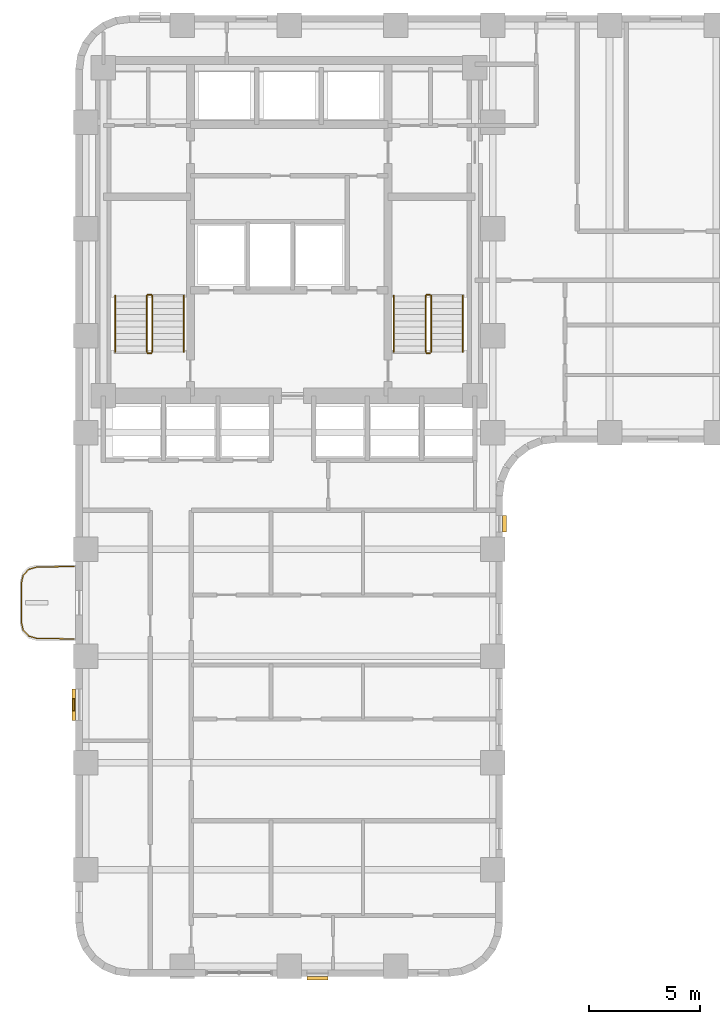
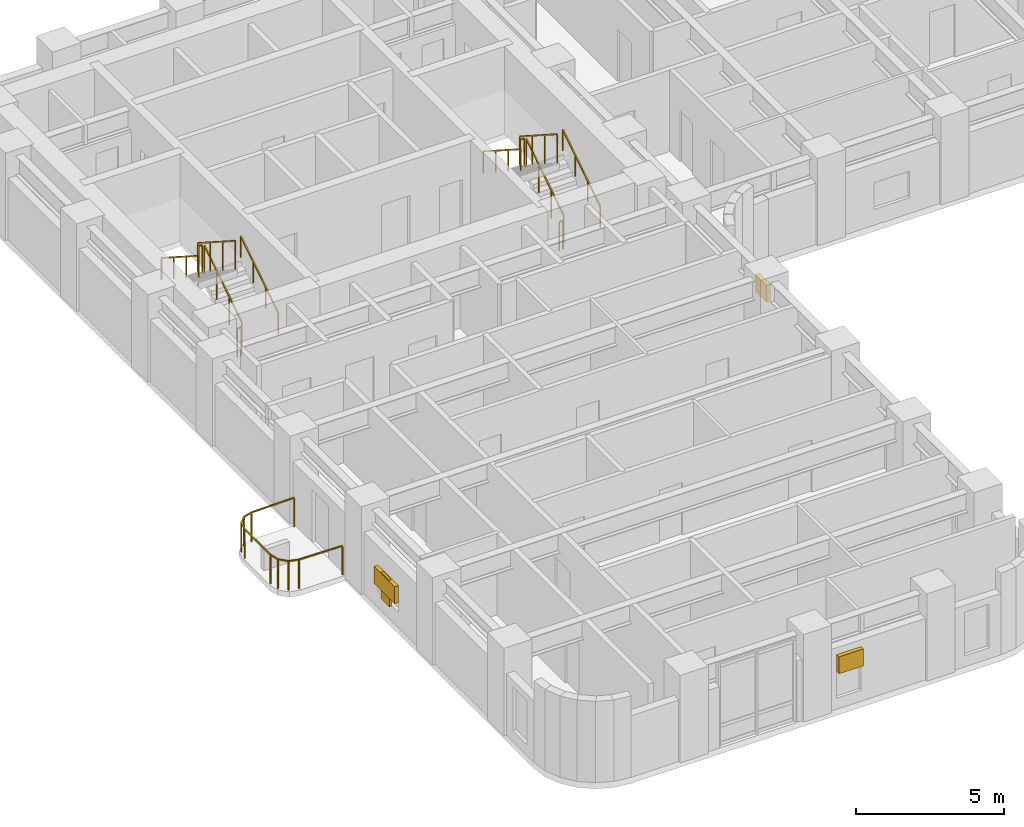
# One storey, part 10 of 12: 13 railings, 4 shading devices.
"""IFC4 building model written with IfcOpenShell, lengths in metres."""

from ifc_helpers import new_model, si_unit, direction, frame, origin, origin_2d, place, context, subcontext, project, spatial, rectangle, extrude, material, type_object, element, save


model = new_model("IFC4")

# Units and contexts
model_context = context("Model", 3, precision=1e-05, world=origin(), true_north=direction((0.0, 1.0)))
body_context = subcontext(model_context, "Body", "Model", "MODEL_VIEW")
ifc_project = project(units=[si_unit("LENGTHUNIT", "METRE"), si_unit("AREAUNIT", "SQUARE_METRE"), si_unit("VOLUMEUNIT", "CUBIC_METRE"), si_unit("PLANEANGLEUNIT", "RADIAN"), si_unit("MASSUNIT", "GRAM", prefix="KILO")], contexts=[model_context])

# Site, building, storey
site_placement = place(None, origin())
site = spatial("IfcSite", under=ifc_project, at=site_placement, CompositionType="ELEMENT")
building_placement = place(site_placement, origin())
building = spatial("IfcBuilding", under=site, at=building_placement, Name="Orvandelia Arch Residences", CompositionType="ELEMENT")
storey_placement = place(building_placement, frame((0.0, 0.0, 71.800048828125)))
storey = spatial("IfcBuildingStorey", under=building, at=storey_placement, Name="L18", CompositionType="ELEMENT", Elevation=71.800048828125)

# Railings
ifc_material_1 = material(Name="Marine-Grade Stainless Steel 316", Category="steel")
railing_type_1 = type_object("IfcRailingType", Name="GRD-BAL-1200", PredefinedType="BALUSTRADE", material=ifc_material_1)
railing_1_placement = place(storey_placement, frame((4.728271484375, 23.23046875, 0.0)))
element("IfcRailing", 1, at=railing_1_placement, inside=storey, type_object=railing_type_1, Name="Safety Balustrade Guard GRD-L18-BAL-L18-W1-1", PredefinedType="BALUSTRADE", context=body_context, shape_type="SweptSolid", body=[
    extrude(rectangle(XDim=0.048095703125, YDim=0.048095703125, at=origin_2d()), frame((0.0, 0.0, 1.19580078125), z_axis=(-0.999834751713, -0.018178813668, 0.0), x_axis=(0.018178813668, -0.999834751713, 0.0)), (0.0, 0.0, 1.0), 1.6787109375),
    extrude(rectangle(XDim=0.048095703125, YDim=0.048095703125, at=origin_2d()), frame((-1.678466796875, -0.030517578125, 1.19580078125), z_axis=(-0.96348920644, -0.267747173792, 0.0), x_axis=(0.267747173792, -0.96348920644, 0.0)), (0.0, 0.0, 1.0), 0.36572265625),
    extrude(rectangle(XDim=0.048095703125, YDim=0.048095703125, at=origin_2d()), frame((-2.03076171875, -0.12841796875, 1.19580078125), z_axis=(-0.688627404251, -0.725115368831, 0.0), x_axis=(0.725115368831, -0.688627404251, 0.0)), (0.0, 0.0, 1.0), 0.367919921875),
    extrude(rectangle(XDim=0.048095703125, YDim=0.048095703125, at=origin_2d()), frame((-2.2841796875, -0.395263671875, 1.19580078125), z_axis=(-0.220461657419, -0.975395641577, 0.0), x_axis=(0.975395641577, -0.220461657419, 0.0)), (0.0, 0.0, 1.0), 0.373291015625),
    extrude(rectangle(XDim=0.048095703125, YDim=0.048095703125, at=origin_2d()), frame((-2.366455078125, -0.75927734375, 1.19580078125), z_axis=(0.0, -1.0, 0.0), x_axis=(1.0, 0.0, 0.0)), (0.0, 0.0, 1.0), 1.742431640625),
    extrude(rectangle(XDim=0.048095703125, YDim=0.048095703125, at=origin_2d()), frame((-2.366455078125, -2.501708984375, 1.19580078125), z_axis=(0.220602419982, -0.975363815352, 0.0), x_axis=(0.975363815352, 0.220602419982, 0.0)), (0.0, 0.0, 1.0), 0.373046875),
    extrude(rectangle(XDim=0.048095703125, YDim=0.048095703125, at=origin_2d()), frame((-2.2841796875, -2.865478515625, 1.19580078125), z_axis=(0.688296224633, -0.725429739642, 0.0), x_axis=(0.725429739642, 0.688296224633, 0.0)), (0.0, 0.0, 1.0), 0.3681640625),
    extrude(rectangle(XDim=0.048095703125, YDim=0.048095703125, at=origin_2d()), frame((-2.03076171875, -3.132568359375, 1.19580078125), z_axis=(0.96348920644, -0.267747173792, 0.0), x_axis=(0.267747173792, 0.96348920644, 0.0)), (0.0, 0.0, 1.0), 0.36572265625),
    extrude(rectangle(XDim=0.048095703125, YDim=0.048095703125, at=origin_2d()), frame((-1.678466796875, -3.23046875, 1.19580078125), z_axis=(0.999834751713, -0.018178813668, 0.0), x_axis=(0.018178813668, 0.999834751713, 0.0)), (0.0, 0.0, 1.0), 1.6787109375),
    extrude(rectangle(XDim=0.0419921875, YDim=0.0419921875, at=origin_2d()), origin(), (0.0, 0.0, 1.0), 1.171875),
    extrude(rectangle(XDim=0.0419921875, YDim=0.0419921875, at=origin_2d()), frame((-1.678466796875, -0.030517578125, 0.0)), (0.0, 0.0, 1.0), 1.171875),
    extrude(rectangle(XDim=0.0419921875, YDim=0.0419921875, at=origin_2d()), frame((-2.03076171875, -0.12841796875, 0.0)), (0.0, 0.0, 1.0), 1.171875),
    extrude(rectangle(XDim=0.0419921875, YDim=0.0419921875, at=origin_2d()), frame((-2.2841796875, -0.395263671875, 0.0)), (0.0, 0.0, 1.0), 1.171875),
    extrude(rectangle(XDim=0.0419921875, YDim=0.0419921875, at=origin_2d()), frame((-2.366455078125, -0.75927734375, 0.0)), (0.0, 0.0, 1.0), 1.171875),
    extrude(rectangle(XDim=0.0419921875, YDim=0.0419921875, at=origin_2d()), frame((-2.366455078125, -2.501708984375, 0.0)), (0.0, 0.0, 1.0), 1.171875),
    extrude(rectangle(XDim=0.0419921875, YDim=0.0419921875, at=origin_2d()), frame((-2.2841796875, -2.865478515625, 0.0)), (0.0, 0.0, 1.0), 1.171875),
    extrude(rectangle(XDim=0.0419921875, YDim=0.0419921875, at=origin_2d()), frame((-2.03076171875, -3.132568359375, 0.0)), (0.0, 0.0, 1.0), 1.171875),
    extrude(rectangle(XDim=0.0419921875, YDim=0.0419921875, at=origin_2d()), frame((-1.678466796875, -3.23046875, 0.0)), (0.0, 0.0, 1.0), 1.171875),
    extrude(rectangle(XDim=0.0419921875, YDim=0.0419921875, at=origin_2d()), frame((0.0, -3.260986328125, 0.0)), (0.0, 0.0, 1.0), 1.171875),
])
ifc_material_2 = material(Name="Brushed Stainless Steel 304", Category="steel")
railing_type_2 = type_object("IfcRailingType", Name="RL-STAIR-GD1120", PredefinedType="GUARDRAIL", material=ifc_material_2)
railing_2_placement = place(storey_placement, frame((8.25, 32.8701171875, 0.179931640625)))
element("IfcRailing", 2, at=railing_2_placement, inside=storey, type_object=railing_type_2, Name="L18 ST-1 stair guard 1", PredefinedType="GUARDRAIL", context=body_context, shape_type="SweptSolid", body=[
    extrude(rectangle(XDim=0.048095703125, YDim=0.048095703125, at=origin_2d()), frame((0.0, 0.0, 1.17578125), z_axis=(0.0, 0.841138753965, 0.540819375188), x_axis=(-1.0, 0.0, 0.0)), (0.0, 0.0, 1.0), 2.99560546875),
    extrude(rectangle(XDim=0.0419921875, YDim=0.0419921875, at=origin_2d()), origin(), (0.0, 0.0, 1.0), 1.15185546875),
    extrude(rectangle(XDim=0.0419921875, YDim=0.0419921875, at=origin_2d()), frame((0.0, 0.83984375, 0.5400390625)), (0.0, 0.0, 1.0), 1.15185546875),
    extrude(rectangle(XDim=0.0419921875, YDim=0.0419921875, at=origin_2d()), frame((0.0, 1.679931640625, 1.080078125)), (0.0, 0.0, 1.0), 1.15185546875),
    extrude(rectangle(XDim=0.0419921875, YDim=0.0419921875, at=origin_2d()), frame((0.0, 2.519775390625, 1.6201171875)), (0.0, 0.0, 1.0), 1.15185546875),
])
railing_3_placement = place(storey_placement, frame((8.199951171875, 35.43994140625, 1.800048828125)))
element("IfcRailing", 3, at=railing_3_placement, inside=storey, type_object=railing_type_2, Name="L18 ST-1 stair guard 2", PredefinedType="GUARDRAIL", context=body_context, shape_type="SweptSolid", body=[
    extrude(rectangle(XDim=0.048095703125, YDim=0.048095703125, at=origin_2d()), frame((0.0, 0.0, 1.17578125), z_axis=(-1.0, 0.0, 0.0), x_axis=(0.0, -1.0, 0.0)), (0.0, 0.0, 1.0), 0.14990234375),
    extrude(rectangle(XDim=0.0419921875, YDim=0.0419921875, at=origin_2d()), origin(), (0.0, 0.0, 1.0), 1.15185546875),
    extrude(rectangle(XDim=0.0419921875, YDim=0.0419921875, at=origin_2d()), frame((-0.14990234375, 0.0, 0.0)), (0.0, 0.0, 1.0), 1.15185546875),
])
railing_4_placement = place(storey_placement, frame((8.0, 35.389892578125, 1.97998046875)))
element("IfcRailing", 4, at=railing_4_placement, inside=storey, type_object=railing_type_2, Name="L18 ST-1 stair guard 3", PredefinedType="GUARDRAIL", context=body_context, shape_type="SweptSolid", body=[
    extrude(rectangle(XDim=0.048095703125, YDim=0.048095703125, at=origin_2d()), frame((0.0, 0.0, 1.17578125), z_axis=(0.0, -0.841175827307, 0.540761710511), x_axis=(1.0, 0.0, 0.0)), (0.0, 0.0, 1.0), 2.99560546875),
    extrude(rectangle(XDim=0.0419921875, YDim=0.0419921875, at=origin_2d()), origin(), (0.0, 0.0, 1.0), 1.15185546875),
    extrude(rectangle(XDim=0.0419921875, YDim=0.0419921875, at=origin_2d()), frame((0.0, -0.83984375, 0.5400390625)), (0.0, 0.0, 1.0), 1.15185546875),
    extrude(rectangle(XDim=0.0419921875, YDim=0.0419921875, at=origin_2d()), frame((0.0, -1.679931640625, 1.079833984375)), (0.0, 0.0, 1.0), 1.15185546875),
    extrude(rectangle(XDim=0.0419921875, YDim=0.0419921875, at=origin_2d()), frame((0.0, -2.519775390625, 1.619873046875)), (0.0, 0.0, 1.0), 1.15185546875),
])
railing_5_placement = place(storey_placement, frame((8.199951171875, 32.820068359375, 0.0)))
element("IfcRailing", 5, at=railing_5_placement, inside=storey, type_object=railing_type_2, Name="L18 ST-1 stair guard 4", PredefinedType="GUARDRAIL", context=body_context, shape_type="SweptSolid", body=[
    extrude(rectangle(XDim=0.048095703125, YDim=0.048095703125, at=origin_2d()), frame((0.0, 0.0, 1.17578125), z_axis=(-1.0, 0.0, 0.0), x_axis=(0.0, -1.0, 0.0)), (0.0, 0.0, 1.0), 0.14990234375),
    extrude(rectangle(XDim=0.0419921875, YDim=0.0419921875, at=origin_2d()), origin(), (0.0, 0.0, 1.0), 1.15185546875),
    extrude(rectangle(XDim=0.0419921875, YDim=0.0419921875, at=origin_2d()), frame((-0.14990234375, 0.0, 0.0)), (0.0, 0.0, 1.0), 1.15185546875),
])
railing_6_placement = place(storey_placement, frame((20.780029296875, 32.8701171875, 0.179931640625)))
element("IfcRailing", 6, at=railing_6_placement, inside=storey, type_object=railing_type_2, Name="L18 ST-2 stair guard 1", PredefinedType="GUARDRAIL", context=body_context, shape_type="SweptSolid", body=[
    extrude(rectangle(XDim=0.048095703125, YDim=0.048095703125, at=origin_2d()), frame((0.0, 0.0, 1.17578125), z_axis=(0.0, 0.841138753965, 0.540819375188), x_axis=(-1.0, 0.0, 0.0)), (0.0, 0.0, 1.0), 2.99560546875),
    extrude(rectangle(XDim=0.0419921875, YDim=0.0419921875, at=origin_2d()), origin(), (0.0, 0.0, 1.0), 1.15185546875),
    extrude(rectangle(XDim=0.0419921875, YDim=0.0419921875, at=origin_2d()), frame((0.0, 0.83984375, 0.5400390625)), (0.0, 0.0, 1.0), 1.15185546875),
    extrude(rectangle(XDim=0.0419921875, YDim=0.0419921875, at=origin_2d()), frame((0.0, 1.679931640625, 1.080078125)), (0.0, 0.0, 1.0), 1.15185546875),
    extrude(rectangle(XDim=0.0419921875, YDim=0.0419921875, at=origin_2d()), frame((0.0, 2.519775390625, 1.6201171875)), (0.0, 0.0, 1.0), 1.15185546875),
])
railing_7_placement = place(storey_placement, frame((20.72998046875, 35.43994140625, 1.800048828125)))
element("IfcRailing", 7, at=railing_7_placement, inside=storey, type_object=railing_type_2, Name="L18 ST-2 stair guard 2", PredefinedType="GUARDRAIL", context=body_context, shape_type="SweptSolid", body=[
    extrude(rectangle(XDim=0.048095703125, YDim=0.048095703125, at=origin_2d()), frame((0.0, 0.0, 1.17578125), z_axis=(-1.0, 0.0, 0.0), x_axis=(0.0, -1.0, 0.0)), (0.0, 0.0, 1.0), 0.14990234375),
    extrude(rectangle(XDim=0.0419921875, YDim=0.0419921875, at=origin_2d()), origin(), (0.0, 0.0, 1.0), 1.15185546875),
    extrude(rectangle(XDim=0.0419921875, YDim=0.0419921875, at=origin_2d()), frame((-0.14990234375, 0.0, 0.0)), (0.0, 0.0, 1.0), 1.15185546875),
])
railing_8_placement = place(storey_placement, frame((20.530029296875, 35.389892578125, 1.97998046875)))
element("IfcRailing", 8, at=railing_8_placement, inside=storey, type_object=railing_type_2, Name="L18 ST-2 stair guard 3", PredefinedType="GUARDRAIL", context=body_context, shape_type="SweptSolid", body=[
    extrude(rectangle(XDim=0.048095703125, YDim=0.048095703125, at=origin_2d()), frame((0.0, 0.0, 1.17578125), z_axis=(0.0, -0.841175827307, 0.540761710511), x_axis=(1.0, 0.0, 0.0)), (0.0, 0.0, 1.0), 2.99560546875),
    extrude(rectangle(XDim=0.0419921875, YDim=0.0419921875, at=origin_2d()), origin(), (0.0, 0.0, 1.0), 1.15185546875),
    extrude(rectangle(XDim=0.0419921875, YDim=0.0419921875, at=origin_2d()), frame((0.0, -0.83984375, 0.5400390625)), (0.0, 0.0, 1.0), 1.15185546875),
    extrude(rectangle(XDim=0.0419921875, YDim=0.0419921875, at=origin_2d()), frame((0.0, -1.679931640625, 1.079833984375)), (0.0, 0.0, 1.0), 1.15185546875),
    extrude(rectangle(XDim=0.0419921875, YDim=0.0419921875, at=origin_2d()), frame((0.0, -2.519775390625, 1.619873046875)), (0.0, 0.0, 1.0), 1.15185546875),
])
railing_9_placement = place(storey_placement, frame((20.72998046875, 32.820068359375, 0.0)))
element("IfcRailing", 9, at=railing_9_placement, inside=storey, type_object=railing_type_2, Name="L18 ST-2 stair guard 4", PredefinedType="GUARDRAIL", context=body_context, shape_type="SweptSolid", body=[
    extrude(rectangle(XDim=0.048095703125, YDim=0.048095703125, at=origin_2d()), frame((0.0, 0.0, 1.17578125), z_axis=(-1.0, 0.0, 0.0), x_axis=(0.0, -1.0, 0.0)), (0.0, 0.0, 1.0), 0.14990234375),
    extrude(rectangle(XDim=0.0419921875, YDim=0.0419921875, at=origin_2d()), origin(), (0.0, 0.0, 1.0), 1.15185546875),
    extrude(rectangle(XDim=0.0419921875, YDim=0.0419921875, at=origin_2d()), frame((-0.14990234375, 0.0, 0.0)), (0.0, 0.0, 1.0), 1.15185546875),
])
railing_type_3 = type_object("IfcRailingType", Name="RL-STAIR-HR920", PredefinedType="HANDRAIL", material=ifc_material_2)
railing_10_placement = place(storey_placement, frame((9.669921875, 32.8701171875, 0.35986328125)))
element("IfcRailing", 10, at=railing_10_placement, inside=storey, type_object=railing_type_3, Name="L18 ST-1 stair handrail 1", PredefinedType="HANDRAIL", context=body_context, shape_type="SweptSolid", body=[
    extrude(rectangle(XDim=0.048095703125, YDim=0.048095703125, at=origin_2d()), frame((0.0, 0.0, 0.8759765625), z_axis=(0.0, 0.841138753965, 0.540819375188), x_axis=(-1.0, 0.0, 0.0)), (0.0, 0.0, 1.0), 2.99560546875),
    extrude(rectangle(XDim=0.0419921875, YDim=0.0419921875, at=origin_2d()), origin(), (0.0, 0.0, 1.0), 0.851806640625),
    extrude(rectangle(XDim=0.0419921875, YDim=0.0419921875, at=origin_2d()), frame((0.0, 0.83984375, 0.5400390625)), (0.0, 0.0, 1.0), 0.851806640625),
    extrude(rectangle(XDim=0.0419921875, YDim=0.0419921875, at=origin_2d()), frame((0.0, 1.679931640625, 1.080078125)), (0.0, 0.0, 1.0), 0.851806640625),
    extrude(rectangle(XDim=0.0419921875, YDim=0.0419921875, at=origin_2d()), frame((0.0, 2.519775390625, 1.6201171875)), (0.0, 0.0, 1.0), 0.851806640625),
])
railing_11_placement = place(storey_placement, frame((6.580078125, 35.389892578125, 2.159912109375)))
element("IfcRailing", 11, at=railing_11_placement, inside=storey, type_object=railing_type_3, Name="L18 ST-1 stair handrail 2", PredefinedType="HANDRAIL", context=body_context, shape_type="SweptSolid", body=[
    extrude(rectangle(XDim=0.048095703125, YDim=0.048095703125, at=origin_2d()), frame((0.0, 0.0, 0.8759765625), z_axis=(0.0, -0.841138753965, 0.540819375188), x_axis=(1.0, 0.0, 0.0)), (0.0, 0.0, 1.0), 2.99560546875),
    extrude(rectangle(XDim=0.0419921875, YDim=0.0419921875, at=origin_2d()), origin(), (0.0, 0.0, 1.0), 0.851806640625),
    extrude(rectangle(XDim=0.0419921875, YDim=0.0419921875, at=origin_2d()), frame((0.0, -0.83984375, 0.5400390625)), (0.0, 0.0, 1.0), 0.851806640625),
    extrude(rectangle(XDim=0.0419921875, YDim=0.0419921875, at=origin_2d()), frame((0.0, -1.679931640625, 1.080078125)), (0.0, 0.0, 1.0), 0.851806640625),
    extrude(rectangle(XDim=0.0419921875, YDim=0.0419921875, at=origin_2d()), frame((0.0, -2.519775390625, 1.6201171875)), (0.0, 0.0, 1.0), 0.851806640625),
])
railing_12_placement = place(storey_placement, frame((22.199951171875, 32.8701171875, 0.35986328125)))
element("IfcRailing", 12, at=railing_12_placement, inside=storey, type_object=railing_type_3, Name="L18 ST-2 stair handrail 1", PredefinedType="HANDRAIL", context=body_context, shape_type="SweptSolid", body=[
    extrude(rectangle(XDim=0.048095703125, YDim=0.048095703125, at=origin_2d()), frame((0.0, 0.0, 0.8759765625), z_axis=(0.0, 0.841138753965, 0.540819375188), x_axis=(-1.0, 0.0, 0.0)), (0.0, 0.0, 1.0), 2.99560546875),
    extrude(rectangle(XDim=0.0419921875, YDim=0.0419921875, at=origin_2d()), origin(), (0.0, 0.0, 1.0), 0.851806640625),
    extrude(rectangle(XDim=0.0419921875, YDim=0.0419921875, at=origin_2d()), frame((0.0, 0.83984375, 0.5400390625)), (0.0, 0.0, 1.0), 0.851806640625),
    extrude(rectangle(XDim=0.0419921875, YDim=0.0419921875, at=origin_2d()), frame((0.0, 1.679931640625, 1.080078125)), (0.0, 0.0, 1.0), 0.851806640625),
    extrude(rectangle(XDim=0.0419921875, YDim=0.0419921875, at=origin_2d()), frame((0.0, 2.519775390625, 1.6201171875)), (0.0, 0.0, 1.0), 0.851806640625),
])
railing_13_placement = place(storey_placement, frame((19.110107421875, 35.389892578125, 2.159912109375)))
element("IfcRailing", 13, at=railing_13_placement, inside=storey, type_object=railing_type_3, Name="L18 ST-2 stair handrail 2", PredefinedType="HANDRAIL", context=body_context, shape_type="SweptSolid", body=[
    extrude(rectangle(XDim=0.048095703125, YDim=0.048095703125, at=origin_2d()), frame((0.0, 0.0, 0.8759765625), z_axis=(0.0, -0.841138753965, 0.540819375188), x_axis=(1.0, 0.0, 0.0)), (0.0, 0.0, 1.0), 2.99560546875),
    extrude(rectangle(XDim=0.0419921875, YDim=0.0419921875, at=origin_2d()), origin(), (0.0, 0.0, 1.0), 0.851806640625),
    extrude(rectangle(XDim=0.0419921875, YDim=0.0419921875, at=origin_2d()), frame((0.0, -0.83984375, 0.5400390625)), (0.0, 0.0, 1.0), 0.851806640625),
    extrude(rectangle(XDim=0.0419921875, YDim=0.0419921875, at=origin_2d()), frame((0.0, -1.679931640625, 1.080078125)), (0.0, 0.0, 1.0), 0.851806640625),
    extrude(rectangle(XDim=0.0419921875, YDim=0.0419921875, at=origin_2d()), frame((0.0, -2.519775390625, 1.6201171875)), (0.0, 0.0, 1.0), 0.851806640625),
])

# Shading devices
ifc_material_3 = material(Name="Anodised Champagne-Bronze Extruded Aluminium", Category="aluminium")
shading_device_type_1 = type_object("IfcShadingDeviceType", Name="SHD-JALOUSIE-SCREEN", PredefinedType="JALOUSIE", material=ifc_material_3)
shading_device_1_placement = place(storey_placement, frame((24.080078125, 25.14501953125, 1.5498046875), z_axis=(0.0, 0.0, 1.0), x_axis=(0.0, -1.0, 0.0)))
element("IfcShadingDevice", 14, at=shading_device_1_placement, inside=storey, type_object=shading_device_type_1, Name="Bronze Jalousie Sun-Shade L18-007", PredefinedType="JALOUSIE", context=body_context, shape_type="SweptSolid", body=[
    extrude(rectangle(XDim=0.75, YDim=0.159912109375, at=origin_2d()), origin(), (0.0, 0.0, 1.0), 0.699951171875),
])
shading_device_2_placement = place(storey_placement, frame((15.674560546875, 4.719970703125, 1.5498046875), z_axis=(0.0, 0.0, 1.0), x_axis=(-1.0, 0.0, 0.0)))
element("IfcShadingDevice", 15, at=shading_device_2_placement, inside=storey, type_object=shading_device_type_1, Name="Bronze Jalousie Sun-Shade L18-008", PredefinedType="JALOUSIE", context=body_context, shape_type="SweptSolid", body=[
    extrude(rectangle(XDim=0.949951171875, YDim=0.159912109375, at=origin_2d()), origin(), (0.0, 0.0, 1.0), 0.699951171875),
])
shading_device_3_placement = place(storey_placement, frame((4.719970703125, 17.014892578125, 1.0498046875), z_axis=(0.0, 0.0, 1.0), x_axis=(0.0, 1.0, 0.0)))
element("IfcShadingDevice", 16, at=shading_device_3_placement, inside=storey, type_object=shading_device_type_1, Name="Bronze Jalousie Sun-Shade L18-009", PredefinedType="JALOUSIE", context=body_context, shape_type="SweptSolid", body=[
    extrude(rectangle(XDim=1.39990234375, YDim=0.159912109375, at=origin_2d()), origin(), (0.0, 0.0, 1.0), 0.699951171875),
])
ifc_material_4 = material(Name="Marine-Grade Perforated Aluminium Storm Shutter", Category="aluminium")
shading_device_type_2 = type_object("IfcShadingDeviceType", Name="SHD-STORM-SHUTTER", PredefinedType="SHUTTER", material=ifc_material_4)
shading_device_4_placement = place(storey_placement, frame((4.719970703125, 17.014892578125, 0.64990234375), z_axis=(0.0, 0.0, 1.0), x_axis=(0.0, 1.0, 0.0)))
element("IfcShadingDevice", 17, at=shading_device_4_placement, inside=storey, type_object=shading_device_type_2, Name="Operable Typhoon Storm Shutter L18-009", PredefinedType="SHUTTER", context=body_context, shape_type="SweptSolid", body=[
    extrude(rectangle(XDim=0.550048828125, YDim=0.080078125, at=origin_2d()), origin(), (0.0, 0.0, 1.0), 1.10009765625),
])

save(model, "model.ifc")
